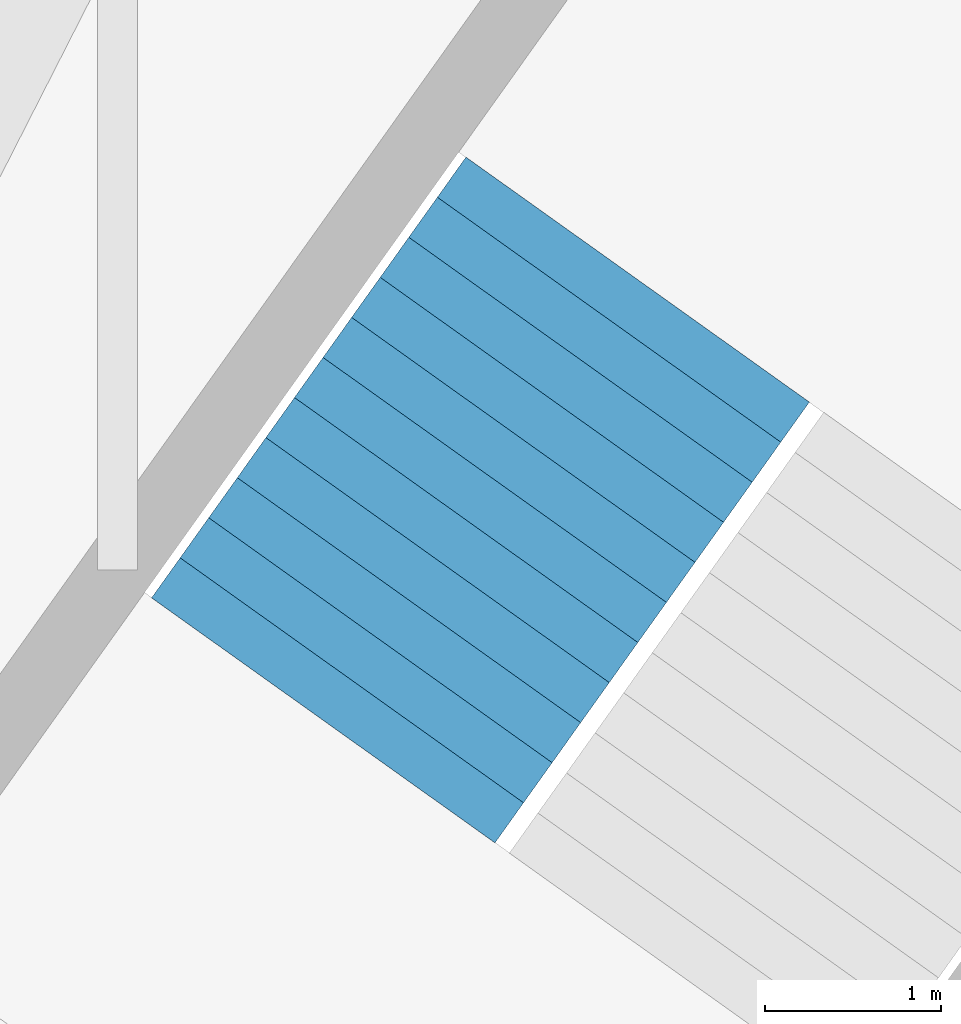
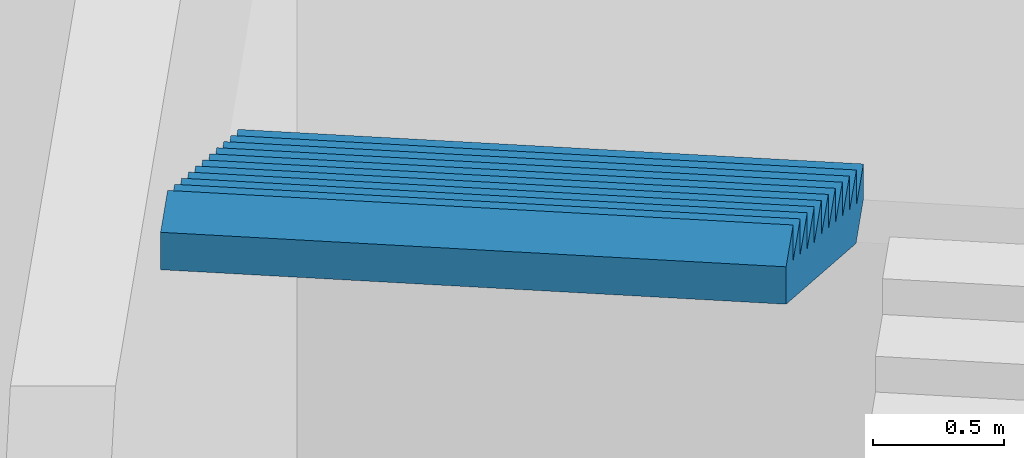
# One storey, part 73 of 74: 1 stair flight, 1 element without a shape of its own.
"""IFC4 building model written with IfcOpenShell, lengths in metres."""

from ifc_helpers import new_model, si_unit, direction, frame, origin, place, context, subcontext, project, spatial, triangles, material, type_object, element, aggregate, save


model = new_model("IFC4")

# Units and contexts
model_context = context("Model", 3, precision=1e-05, world=origin(), true_north=direction((0.0, 1.0)))
body_context = subcontext(model_context, "Body", "Model", "MODEL_VIEW")
ifc_project = project(units=[si_unit("LENGTHUNIT", "METRE"), si_unit("AREAUNIT", "SQUARE_METRE"), si_unit("VOLUMEUNIT", "CUBIC_METRE"), si_unit("PLANEANGLEUNIT", "RADIAN"), si_unit("MASSUNIT", "GRAM", prefix="KILO")], contexts=[model_context])

# Site, building, storey
site_placement = place(None, origin())
site = spatial("IfcSite", under=ifc_project, at=site_placement, CompositionType="ELEMENT")
building_placement = place(site_placement, origin())
building = spatial("IfcBuilding", under=site, at=building_placement, Name="Lantaw Convention Tower", CompositionType="ELEMENT")
storey_placement = place(building_placement, frame((0.0, 0.0, 6.5)))
storey = spatial("IfcBuildingStorey", under=building, at=storey_placement, Name="L01", CompositionType="ELEMENT", Elevation=6.5)

# Stair, stair flight
ifc_material = material(Name="Concrete C35/45", Category="concrete")
stair_type = type_object("IfcStairType", Name="Exit stair 2400 riser 166.67 in 4 flights", PredefinedType="HALF_TURN_STAIR", material=ifc_material)
stair_placement = place(storey_placement, origin())
stair = element("IfcStair", 1, at=stair_placement, inside=storey, type_object=stair_type, Name="Podium exit stair P4 L01", PredefinedType="HALF_TURN_STAIR")
stair_flight_type = type_object("IfcStairFlightType", Name="Stair flight 2400 riser 166.67", PredefinedType="STRAIGHT", material=ifc_material)
stair_flight_placement = place(storey_placement, frame((18.7587890625, 28.451416015625, 6.0), z_axis=(0.0, 0.0, 1.0), x_axis=(-0.580702955711, -0.814115518356, 0.0)))
stair_flight = element("IfcStairFlight", 2, at=stair_flight_placement, type_object=stair_flight_type, Name="P4 flight 4", NumberOfRisers=12, NumberOfTreads=11, PredefinedType="STRAIGHT", RiserHeight=0.166666667, TreadLength=0.28, context=body_context, shape_type="Tessellation", body=[
    triangles([(0.0, 1.199951171875, 0.0), (0.0, 1.199951171875, 0.166666667), (0.28, 1.199951171875, 0.0), (0.28, 1.199951171875, 0.166666667), (0.28, 1.199951171875, 0.333333334), (0.29307345806906726, 1.199951171875, 0.0), (0.29307345806906726, 1.199951171875, 0.333333334), (0.56, 1.199951171875, 0.15888484670522965), (0.56, 1.199951171875, 0.333333334), (0.56, 1.199951171875, 0.500000001), (0.8400000000000001, 1.199951171875, 0.3255515137052296), (0.8400000000000001, 1.199951171875, 0.500000001), (0.8400000000000001, 1.199951171875, 0.666666668), (1.12, 1.199951171875, 0.4922181807052296), (1.12, 1.199951171875, 0.666666668), (1.12, 1.199951171875, 0.833333335), (1.4000000000000001, 1.199951171875, 0.6588848477052296), (1.4000000000000001, 1.199951171875, 0.833333335), (1.4000000000000001, 1.199951171875, 1.000000002), (1.6800000000000002, 1.199951171875, 0.8255515147052296), (1.6800000000000002, 1.199951171875, 1.000000002), (1.6800000000000002, 1.199951171875, 1.166666669), (1.9600000000000002, 1.199951171875, 0.9922181817052296), (1.9600000000000002, 1.199951171875, 1.166666669), (1.9600000000000002, 1.199951171875, 1.333333336), (2.24, 1.199951171875, 1.1588848487052295), (2.24, 1.199951171875, 1.333333336), (2.24, 1.199951171875, 1.5000000029999998), (2.5200000000000005, 1.199951171875, 1.3255515157052296), (2.5200000000000005, 1.199951171875, 1.5000000029999998), (2.5200000000000005, 1.199951171875, 1.66666667), (2.8000000000000003, 1.199951171875, 1.4922181827052294), (2.8000000000000003, 1.199951171875, 1.66666667), (2.8000000000000003, 1.199951171875, 1.833333337), (3.08, 1.199951171875, 1.6588848497052293), (3.08, 1.199951171875, 1.833333337), (0.0, -1.199951171875, 0.0), (0.0, -1.199951171875, 0.166666667), (0.28, -1.199951171875, 0.0), (0.28, -1.199951171875, 0.166666667), (0.28, -1.199951171875, 0.333333334), (0.29307345806906726, -1.199951171875, 0.0), (0.29307345806906726, -1.199951171875, 0.333333334), (0.56, -1.199951171875, 0.15888484670522965), (0.56, -1.199951171875, 0.333333334), (0.56, -1.199951171875, 0.500000001), (0.8400000000000001, -1.199951171875, 0.3255515137052296), (0.8400000000000001, -1.199951171875, 0.500000001), (0.8400000000000001, -1.199951171875, 0.666666668), (1.12, -1.199951171875, 0.4922181807052296), (1.12, -1.199951171875, 0.666666668), (1.12, -1.199951171875, 0.833333335), (1.4000000000000001, -1.199951171875, 0.6588848477052296), (1.4000000000000001, -1.199951171875, 0.833333335), (1.4000000000000001, -1.199951171875, 1.000000002), (1.6800000000000002, -1.199951171875, 0.8255515147052296), (1.6800000000000002, -1.199951171875, 1.000000002), (1.6800000000000002, -1.199951171875, 1.166666669), (1.9600000000000002, -1.199951171875, 0.9922181817052296), (1.9600000000000002, -1.199951171875, 1.166666669), (1.9600000000000002, -1.199951171875, 1.333333336), (2.24, -1.199951171875, 1.1588848487052295), (2.24, -1.199951171875, 1.333333336), (2.24, -1.199951171875, 1.5000000029999998), (2.5200000000000005, -1.199951171875, 1.3255515157052296), (2.5200000000000005, -1.199951171875, 1.5000000029999998), (2.5200000000000005, -1.199951171875, 1.66666667), (2.8000000000000003, -1.199951171875, 1.4922181827052294), (2.8000000000000003, -1.199951171875, 1.66666667), (2.8000000000000003, -1.199951171875, 1.833333337), (3.08, -1.199951171875, 1.6588848497052293), (3.08, -1.199951171875, 1.833333337), (0.0, 0.239990234375, 0.166666667), (0.0, 0.239990234375, 0.0), (0.0, 0.1199951171875, 0.166666667), (0.0, 0.1199951171875, 0.0), (0.0, 0.0, 0.166666667), (0.0, 0.0, 0.0), (0.0, -0.1199951171875, 0.166666667), (0.0, -0.1199951171875, 0.0), (0.0, -0.239990234375, 0.166666667), (0.0, -0.239990234375, 0.0), (0.28, 0.239990234375, 0.333333334), (0.28, 0.239990234375, 0.166666667), (0.28, 0.1199951171875, 0.333333334), (0.28, 0.1199951171875, 0.166666667), (0.28, 0.0, 0.333333334), (0.28, 0.0, 0.166666667), (0.28, -0.1199951171875, 0.333333334), (0.28, -0.1199951171875, 0.166666667), (0.28, -0.239990234375, 0.333333334), (0.28, -0.239990234375, 0.166666667), (0.56, 0.239990234375, 0.500000001), (0.56, 0.239990234375, 0.333333334), (0.56, 0.1199951171875, 0.500000001), (0.56, 0.1199951171875, 0.333333334), (0.56, 0.0, 0.500000001), (0.56, 0.0, 0.333333334), (0.56, -0.1199951171875, 0.500000001), (0.56, -0.1199951171875, 0.333333334), (0.56, -0.239990234375, 0.500000001), (0.56, -0.239990234375, 0.333333334), (0.8400000000000001, 0.239990234375, 0.666666668), (0.8400000000000001, 0.239990234375, 0.500000001), (0.8400000000000001, 0.1199951171875, 0.666666668), (0.8400000000000001, 0.1199951171875, 0.500000001), (0.8400000000000001, 0.0, 0.666666668), (0.8400000000000001, 0.0, 0.500000001), (0.8400000000000001, -0.1199951171875, 0.666666668), (0.8400000000000001, -0.1199951171875, 0.500000001), (0.8400000000000001, -0.239990234375, 0.666666668), (0.8400000000000001, -0.239990234375, 0.500000001), (1.12, 0.239990234375, 0.833333335), (1.12, 0.239990234375, 0.666666668), (1.12, 0.1199951171875, 0.833333335), (1.12, 0.1199951171875, 0.666666668), (1.12, 0.0, 0.833333335), (1.12, 0.0, 0.666666668), (1.12, -0.1199951171875, 0.833333335), (1.12, -0.1199951171875, 0.666666668), (1.12, -0.239990234375, 0.833333335), (1.12, -0.239990234375, 0.666666668), (1.4000000000000001, 0.239990234375, 1.000000002), (1.4000000000000001, 0.239990234375, 0.833333335), (1.4000000000000001, 0.1199951171875, 1.000000002), (1.4000000000000001, 0.1199951171875, 0.833333335), (1.4000000000000001, 0.0, 1.000000002), (1.4000000000000001, 0.0, 0.833333335), (1.4000000000000001, -0.1199951171875, 1.000000002), (1.4000000000000001, -0.1199951171875, 0.833333335), (1.4000000000000001, -0.239990234375, 1.000000002), (1.4000000000000001, -0.239990234375, 0.833333335), (1.6800000000000002, 0.239990234375, 1.166666669), (1.6800000000000002, 0.239990234375, 1.000000002), (1.6800000000000002, 0.1199951171875, 1.166666669), (1.6800000000000002, 0.1199951171875, 1.000000002), (1.6800000000000002, 0.0, 1.166666669), (1.6800000000000002, 0.0, 1.000000002), (1.6800000000000002, -0.1199951171875, 1.166666669), (1.6800000000000002, -0.1199951171875, 1.000000002), (1.6800000000000002, -0.239990234375, 1.166666669), (1.6800000000000002, -0.239990234375, 1.000000002), (1.9600000000000002, 0.239990234375, 1.333333336), (1.9600000000000002, 0.239990234375, 1.166666669), (1.9600000000000002, 0.1199951171875, 1.333333336), (1.9600000000000002, 0.1199951171875, 1.166666669), (1.9600000000000002, 0.0, 1.333333336), (1.9600000000000002, 0.0, 1.166666669), (1.9600000000000002, -0.1199951171875, 1.333333336), (1.9600000000000002, -0.1199951171875, 1.166666669), (1.9600000000000002, -0.239990234375, 1.333333336), (1.9600000000000002, -0.239990234375, 1.166666669), (2.24, 0.239990234375, 1.5000000029999998), (2.24, 0.239990234375, 1.333333336), (2.24, 0.1199951171875, 1.5000000029999998), (2.24, 0.1199951171875, 1.333333336), (2.24, 0.0, 1.5000000029999998), (2.24, 0.0, 1.333333336), (2.24, -0.1199951171875, 1.5000000029999998), (2.24, -0.1199951171875, 1.333333336), (2.24, -0.239990234375, 1.5000000029999998), (2.24, -0.239990234375, 1.333333336), (2.5200000000000005, 0.239990234375, 1.66666667), (2.5200000000000005, 0.239990234375, 1.5000000029999998), (2.5200000000000005, 0.1199951171875, 1.66666667), (2.5200000000000005, 0.1199951171875, 1.5000000029999998), (2.5200000000000005, 0.0, 1.66666667), (2.5200000000000005, 0.0, 1.5000000029999998), (2.5200000000000005, -0.1199951171875, 1.66666667), (2.5200000000000005, -0.1199951171875, 1.5000000029999998), (2.5200000000000005, -0.239990234375, 1.66666667), (2.5200000000000005, -0.239990234375, 1.5000000029999998), (2.8000000000000003, 0.239990234375, 1.833333337), (2.8000000000000003, 0.239990234375, 1.66666667), (2.8000000000000003, 0.1199951171875, 1.833333337), (2.8000000000000003, 0.1199951171875, 1.66666667), (2.8000000000000003, 0.0, 1.833333337), (2.8000000000000003, 0.0, 1.66666667), (2.8000000000000003, -0.1199951171875, 1.833333337), (2.8000000000000003, -0.1199951171875, 1.66666667), (2.8000000000000003, -0.239990234375, 1.833333337), (2.8000000000000003, -0.239990234375, 1.66666667), (0.29307345806906726, 0.239990234375, 0.333333334), (0.29307345806906726, 0.1199951171875, 0.333333334), (0.29307345806906726, 0.0, 0.333333334), (0.29307345806906726, -0.1199951171875, 0.333333334), (0.29307345806906726, -0.239990234375, 0.333333334), (3.08, 0.239990234375, 1.833333337), (3.08, 0.1199951171875, 1.833333337), (3.08, 0.0, 1.833333337), (3.08, -0.1199951171875, 1.833333337), (3.08, -0.239990234375, 1.833333337), (3.08, 0.239990234375, 1.6588848497052293), (3.08, 0.1199951171875, 1.6588848497052293), (3.08, 0.0, 1.6588848497052293), (3.08, -0.1199951171875, 1.6588848497052293), (3.08, -0.239990234375, 1.6588848497052293), (2.8000000000000003, 0.239990234375, 1.4922181827052294), (2.8000000000000003, 0.1199951171875, 1.4922181827052294), (2.8000000000000003, 0.0, 1.4922181827052294), (2.8000000000000003, -0.1199951171875, 1.4922181827052294), (2.8000000000000003, -0.239990234375, 1.4922181827052294), (2.5200000000000005, 0.239990234375, 1.3255515157052296), (2.5200000000000005, 0.1199951171875, 1.3255515157052296), (2.5200000000000005, 0.0, 1.3255515157052296), (2.5200000000000005, -0.1199951171875, 1.3255515157052296), (2.5200000000000005, -0.239990234375, 1.3255515157052296), (2.24, 0.239990234375, 1.1588848487052295), (2.24, 0.1199951171875, 1.1588848487052295), (2.24, 0.0, 1.1588848487052295), (2.24, -0.1199951171875, 1.1588848487052295), (2.24, -0.239990234375, 1.1588848487052295), (1.9600000000000002, 0.239990234375, 0.9922181817052296), (1.9600000000000002, 0.1199951171875, 0.9922181817052296), (1.9600000000000002, 0.0, 0.9922181817052296), (1.9600000000000002, -0.1199951171875, 0.9922181817052296), (1.9600000000000002, -0.239990234375, 0.9922181817052296), (1.6800000000000002, 0.239990234375, 0.8255515147052296), (1.6800000000000002, 0.1199951171875, 0.8255515147052296), (1.6800000000000002, 0.0, 0.8255515147052296), (1.6800000000000002, -0.1199951171875, 0.8255515147052296), (1.6800000000000002, -0.239990234375, 0.8255515147052296), (1.4000000000000001, 0.239990234375, 0.6588848477052296), (1.4000000000000001, 0.1199951171875, 0.6588848477052296), (1.4000000000000001, 0.0, 0.6588848477052296), (1.4000000000000001, -0.1199951171875, 0.6588848477052296), (1.4000000000000001, -0.239990234375, 0.6588848477052296), (1.12, 0.239990234375, 0.4922181807052296), (1.12, 0.1199951171875, 0.4922181807052296), (1.12, 0.0, 0.4922181807052296), (1.12, -0.1199951171875, 0.4922181807052296), (1.12, -0.239990234375, 0.4922181807052296), (0.8400000000000001, 0.239990234375, 0.3255515137052296), (0.8400000000000001, 0.1199951171875, 0.3255515137052296), (0.8400000000000001, 0.0, 0.3255515137052296), (0.8400000000000001, -0.1199951171875, 0.3255515137052296), (0.8400000000000001, -0.239990234375, 0.3255515137052296), (0.56, 0.239990234375, 0.15888484670522965), (0.56, 0.1199951171875, 0.15888484670522965), (0.56, 0.0, 0.15888484670522965), (0.56, -0.1199951171875, 0.15888484670522965), (0.56, -0.239990234375, 0.15888484670522965), (0.29307345806906726, 0.239990234375, 0.0), (0.29307345806906726, 0.1199951171875, 0.0), (0.29307345806906726, 0.0, 0.0), (0.29307345806906726, -0.1199951171875, 0.0), (0.29307345806906726, -0.239990234375, 0.0), (0.28, 0.239990234375, 0.0), (0.28, 0.1199951171875, 0.0), (0.28, 0.0, 0.0), (0.28, -0.1199951171875, 0.0), (0.28, -0.239990234375, 0.0)], [[1, 4, 3], [1, 2, 4], [3, 4, 6], [4, 7, 6], [4, 5, 7], [6, 9, 8], [6, 7, 9], [8, 9, 11], [9, 12, 11], [9, 10, 12], [11, 12, 14], [12, 15, 14], [12, 13, 15], [14, 15, 17], [15, 18, 17], [15, 16, 18], [17, 18, 20], [18, 21, 20], [18, 19, 21], [20, 21, 23], [21, 24, 23], [21, 22, 24], [23, 24, 26], [24, 27, 26], [24, 25, 27], [26, 27, 29], [27, 30, 29], [27, 28, 30], [29, 30, 32], [30, 33, 32], [30, 31, 33], [32, 33, 35], [33, 36, 35], [33, 34, 36], [37, 39, 40], [37, 40, 38], [39, 42, 40], [40, 42, 43], [40, 43, 41], [42, 44, 45], [42, 45, 43], [44, 47, 45], [45, 47, 48], [45, 48, 46], [47, 50, 48], [48, 50, 51], [48, 51, 49], [50, 53, 51], [51, 53, 54], [51, 54, 52], [53, 56, 54], [54, 56, 57], [54, 57, 55], [56, 59, 57], [57, 59, 60], [57, 60, 58], [59, 62, 60], [60, 62, 63], [60, 63, 61], [62, 65, 63], [63, 65, 66], [63, 66, 64], [65, 68, 66], [66, 68, 69], [66, 69, 67], [68, 71, 69], [69, 71, 72], [69, 72, 70], [1, 73, 2], [1, 74, 73], [74, 75, 73], [74, 76, 75], [76, 77, 75], [76, 78, 77], [78, 79, 77], [78, 80, 79], [80, 81, 79], [80, 82, 81], [82, 38, 81], [82, 37, 38], [4, 83, 5], [4, 84, 83], [84, 85, 83], [84, 86, 85], [86, 87, 85], [86, 88, 87], [88, 89, 87], [88, 90, 89], [90, 91, 89], [90, 92, 91], [92, 41, 91], [92, 40, 41], [9, 93, 10], [9, 94, 93], [94, 95, 93], [94, 96, 95], [96, 97, 95], [96, 98, 97], [98, 99, 97], [98, 100, 99], [100, 101, 99], [100, 102, 101], [102, 46, 101], [102, 45, 46], [12, 103, 13], [12, 104, 103], [104, 105, 103], [104, 106, 105], [106, 107, 105], [106, 108, 107], [108, 109, 107], [108, 110, 109], [110, 111, 109], [110, 112, 111], [112, 49, 111], [112, 48, 49], [15, 113, 16], [15, 114, 113], [114, 115, 113], [114, 116, 115], [116, 117, 115], [116, 118, 117], [118, 119, 117], [118, 120, 119], [120, 121, 119], [120, 122, 121], [122, 52, 121], [122, 51, 52], [18, 123, 19], [18, 124, 123], [124, 125, 123], [124, 126, 125], [126, 127, 125], [126, 128, 127], [128, 129, 127], [128, 130, 129], [130, 131, 129], [130, 132, 131], [132, 55, 131], [132, 54, 55], [21, 133, 22], [21, 134, 133], [134, 135, 133], [134, 136, 135], [136, 137, 135], [136, 138, 137], [138, 139, 137], [138, 140, 139], [140, 141, 139], [140, 142, 141], [142, 58, 141], [142, 57, 58], [24, 143, 25], [24, 144, 143], [144, 145, 143], [144, 146, 145], [146, 147, 145], [146, 148, 147], [148, 149, 147], [148, 150, 149], [150, 151, 149], [150, 152, 151], [152, 61, 151], [152, 60, 61], [27, 153, 28], [27, 154, 153], [154, 155, 153], [154, 156, 155], [156, 157, 155], [156, 158, 157], [158, 159, 157], [158, 160, 159], [160, 161, 159], [160, 162, 161], [162, 64, 161], [162, 63, 64], [30, 163, 31], [30, 164, 163], [164, 165, 163], [164, 166, 165], [166, 167, 165], [166, 168, 167], [168, 169, 167], [168, 170, 169], [170, 171, 169], [170, 172, 171], [172, 67, 171], [172, 66, 67], [33, 173, 34], [33, 174, 173], [174, 175, 173], [174, 176, 175], [176, 177, 175], [176, 178, 177], [178, 179, 177], [178, 180, 179], [180, 181, 179], [180, 182, 181], [182, 70, 181], [182, 69, 70], [2, 84, 4], [2, 73, 84], [73, 86, 84], [73, 75, 86], [75, 88, 86], [75, 77, 88], [77, 90, 88], [77, 79, 90], [79, 92, 90], [79, 81, 92], [81, 40, 92], [81, 38, 40], [5, 183, 7], [5, 83, 183], [83, 184, 183], [83, 85, 184], [85, 185, 184], [85, 87, 185], [87, 186, 185], [87, 89, 186], [89, 187, 186], [89, 91, 187], [91, 43, 187], [91, 41, 43], [7, 94, 9], [7, 183, 94], [183, 96, 94], [183, 184, 96], [184, 98, 96], [184, 185, 98], [185, 100, 98], [185, 186, 100], [186, 102, 100], [186, 187, 102], [187, 45, 102], [187, 43, 45], [10, 104, 12], [10, 93, 104], [93, 106, 104], [93, 95, 106], [95, 108, 106], [95, 97, 108], [97, 110, 108], [97, 99, 110], [99, 112, 110], [99, 101, 112], [101, 48, 112], [101, 46, 48], [13, 114, 15], [13, 103, 114], [103, 116, 114], [103, 105, 116], [105, 118, 116], [105, 107, 118], [107, 120, 118], [107, 109, 120], [109, 122, 120], [109, 111, 122], [111, 51, 122], [111, 49, 51], [16, 124, 18], [16, 113, 124], [113, 126, 124], [113, 115, 126], [115, 128, 126], [115, 117, 128], [117, 130, 128], [117, 119, 130], [119, 132, 130], [119, 121, 132], [121, 54, 132], [121, 52, 54], [19, 134, 21], [19, 123, 134], [123, 136, 134], [123, 125, 136], [125, 138, 136], [125, 127, 138], [127, 140, 138], [127, 129, 140], [129, 142, 140], [129, 131, 142], [131, 57, 142], [131, 55, 57], [22, 144, 24], [22, 133, 144], [133, 146, 144], [133, 135, 146], [135, 148, 146], [135, 137, 148], [137, 150, 148], [137, 139, 150], [139, 152, 150], [139, 141, 152], [141, 60, 152], [141, 58, 60], [25, 154, 27], [25, 143, 154], [143, 156, 154], [143, 145, 156], [145, 158, 156], [145, 147, 158], [147, 160, 158], [147, 149, 160], [149, 162, 160], [149, 151, 162], [151, 63, 162], [151, 61, 63], [28, 164, 30], [28, 153, 164], [153, 166, 164], [153, 155, 166], [155, 168, 166], [155, 157, 168], [157, 170, 168], [157, 159, 170], [159, 172, 170], [159, 161, 172], [161, 66, 172], [161, 64, 66], [31, 174, 33], [31, 163, 174], [163, 176, 174], [163, 165, 176], [165, 178, 176], [165, 167, 178], [167, 180, 178], [167, 169, 180], [169, 182, 180], [169, 171, 182], [171, 69, 182], [171, 67, 69], [34, 188, 36], [34, 173, 188], [173, 189, 188], [173, 175, 189], [175, 190, 189], [175, 177, 190], [177, 191, 190], [177, 179, 191], [179, 192, 191], [179, 181, 192], [181, 72, 192], [181, 70, 72], [36, 193, 35], [36, 188, 193], [188, 194, 193], [188, 189, 194], [189, 195, 194], [189, 190, 195], [190, 196, 195], [190, 191, 196], [191, 197, 196], [191, 192, 197], [192, 71, 197], [192, 72, 71], [35, 198, 32], [35, 193, 198], [193, 199, 198], [193, 194, 199], [194, 200, 199], [194, 195, 200], [195, 201, 200], [195, 196, 201], [196, 202, 201], [196, 197, 202], [197, 68, 202], [197, 71, 68], [32, 203, 29], [32, 198, 203], [198, 204, 203], [198, 199, 204], [199, 205, 204], [199, 200, 205], [200, 206, 205], [200, 201, 206], [201, 207, 206], [201, 202, 207], [202, 65, 207], [202, 68, 65], [29, 208, 26], [29, 203, 208], [203, 209, 208], [203, 204, 209], [204, 210, 209], [204, 205, 210], [205, 211, 210], [205, 206, 211], [206, 212, 211], [206, 207, 212], [207, 62, 212], [207, 65, 62], [26, 213, 23], [26, 208, 213], [208, 214, 213], [208, 209, 214], [209, 215, 214], [209, 210, 215], [210, 216, 215], [210, 211, 216], [211, 217, 216], [211, 212, 217], [212, 59, 217], [212, 62, 59], [23, 218, 20], [23, 213, 218], [213, 219, 218], [213, 214, 219], [214, 220, 219], [214, 215, 220], [215, 221, 220], [215, 216, 221], [216, 222, 221], [216, 217, 222], [217, 56, 222], [217, 59, 56], [20, 223, 17], [20, 218, 223], [218, 224, 223], [218, 219, 224], [219, 225, 224], [219, 220, 225], [220, 226, 225], [220, 221, 226], [221, 227, 226], [221, 222, 227], [222, 53, 227], [222, 56, 53], [17, 228, 14], [17, 223, 228], [223, 229, 228], [223, 224, 229], [224, 230, 229], [224, 225, 230], [225, 231, 230], [225, 226, 231], [226, 232, 231], [226, 227, 232], [227, 50, 232], [227, 53, 50], [14, 233, 11], [14, 228, 233], [228, 234, 233], [228, 229, 234], [229, 235, 234], [229, 230, 235], [230, 236, 235], [230, 231, 236], [231, 237, 236], [231, 232, 237], [232, 47, 237], [232, 50, 47], [11, 238, 8], [11, 233, 238], [233, 239, 238], [233, 234, 239], [234, 240, 239], [234, 235, 240], [235, 241, 240], [235, 236, 241], [236, 242, 241], [236, 237, 242], [237, 44, 242], [237, 47, 44], [8, 243, 6], [8, 238, 243], [238, 244, 243], [238, 239, 244], [239, 245, 244], [239, 240, 245], [240, 246, 245], [240, 241, 246], [241, 247, 246], [241, 242, 247], [242, 42, 247], [242, 44, 42], [6, 248, 3], [6, 243, 248], [243, 249, 248], [243, 244, 249], [244, 250, 249], [244, 245, 250], [245, 251, 250], [245, 246, 251], [246, 252, 251], [246, 247, 252], [247, 39, 252], [247, 42, 39], [3, 74, 1], [3, 248, 74], [248, 76, 74], [248, 249, 76], [249, 78, 76], [249, 250, 78], [250, 80, 78], [250, 251, 80], [251, 82, 80], [251, 252, 82], [252, 37, 82], [252, 39, 37]], closed=True),
])
aggregate(stair, [stair_flight])

save(model, "model.ifc")
